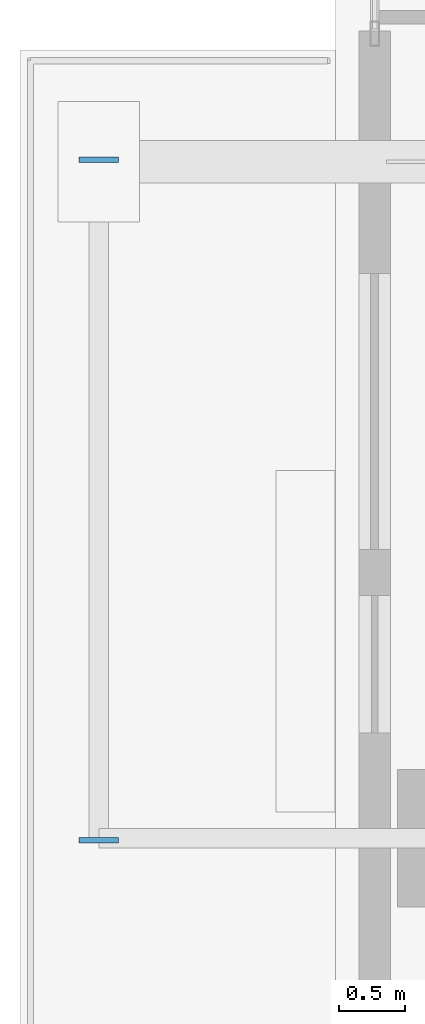
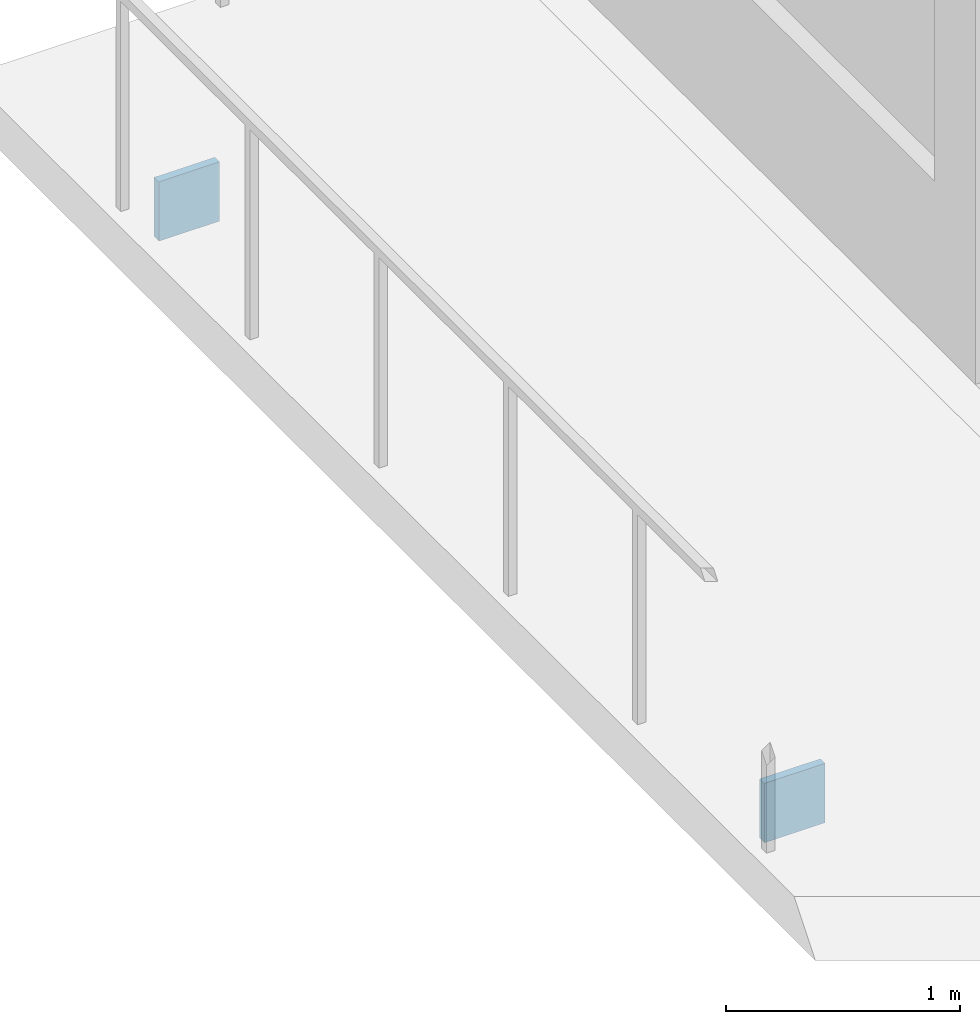
# One storey, part 18 of 26: 2 plates.
"""IFC4 building model written with IfcOpenShell, lengths in metres."""

from ifc_helpers import new_model, si_unit, direction, frame, origin, origin_2d, place, context, subcontext, project, spatial, rectangle, extrude, material, layer, layer_set, type_object, element, save


model = new_model("IFC4")

# Units and contexts
model_context = context("Model", 3, precision=1e-05, world=origin(), true_north=direction((0.0, 1.0)))
body_context = subcontext(model_context, "Body", "Model", "MODEL_VIEW")
ifc_project = project(units=[si_unit("LENGTHUNIT", "METRE"), si_unit("AREAUNIT", "SQUARE_METRE"), si_unit("VOLUMEUNIT", "CUBIC_METRE"), si_unit("PLANEANGLEUNIT", "RADIAN"), si_unit("MASSUNIT", "GRAM", prefix="KILO"), si_unit("THERMODYNAMICTEMPERATUREUNIT", "KELVIN"), si_unit("POWERUNIT", "WATT")], contexts=[model_context])

# Site, building, storey
site_placement = place(None, origin())
site = spatial("IfcSite", under=ifc_project, at=site_placement, CompositionType="ELEMENT")
building_placement = place(site_placement, origin())
building = spatial("IfcBuilding", under=site, at=building_placement, Name="Svarakhadi Broadcast Tower", CompositionType="ELEMENT")
storey_placement = place(building_placement, frame((0.0, 0.0, 195.449951171875)))
storey = spatial("IfcBuildingStorey", under=building, at=storey_placement, Name="L48", CompositionType="ELEMENT", Elevation=195.449951171875)

# Plates
ifc_material = material(Name="Steel S460ML (IS 2062 E450BR)", Category="steel")
ifc_layer = layer(ifc_material, 0.028076171875)
ifc_layer_set = layer_set([ifc_layer], Name="Steel S460ML (IS 2062 E450BR)")
plate_type = type_object("IfcPlateType", Name="Cap_Plate_CP02", PredefinedType="USERDEFINED", material=ifc_layer_set)
for number, where, z_axis, x_axis, name in (
    (1, (-1.800048828125, 23.985107421875, -0.5048828125), (0.0, 0.0, 1.0), (1.0, 0.0, 0.0), "L48 Balcony Spandrel End Cap Plate 2F-A"),
    (2, (-1.800048828125, 29.1650390625, -0.5048828125), (0.0, 0.0, 1.0), (1.0, 0.0, 0.0), "L48 Balcony Spandrel End Cap Plate 2F-B"),
):
    element("IfcPlate", number, at=place(storey_placement, frame(where, z_axis=z_axis, x_axis=x_axis)), inside=storey, type_object=plate_type, Name=name, ObjectType="FLANGE_PLATE", PredefinedType="USERDEFINED", context=body_context, shape_type="SweptSolid", body=[
        extrude(rectangle(XDim=0.300048828125, YDim=0.0400390625, at=origin_2d()), origin(), (0.0, 0.0, 1.0), 0.31005859375),
    ])

save(model, "model.ifc")
